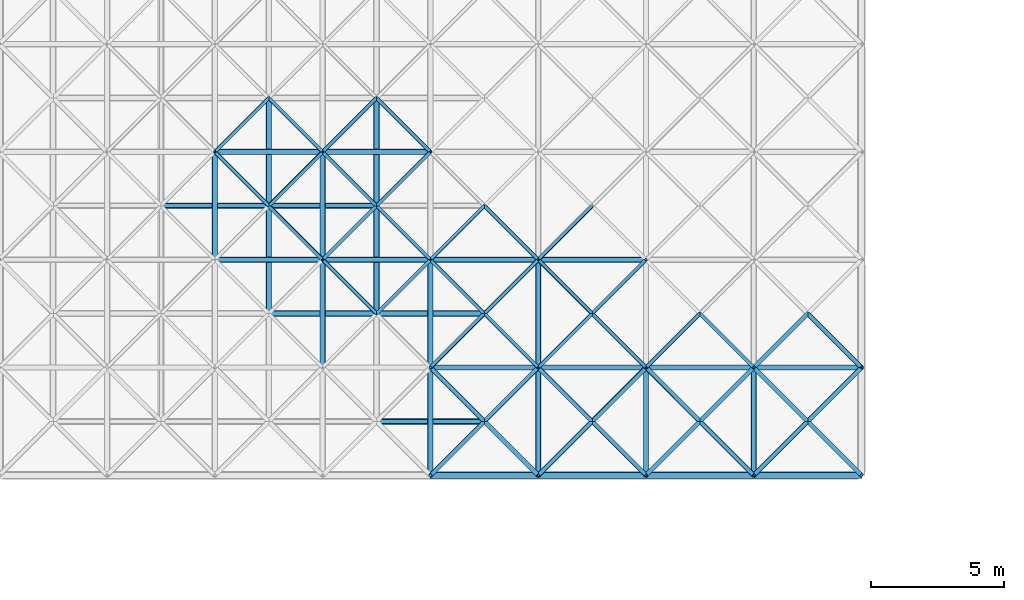
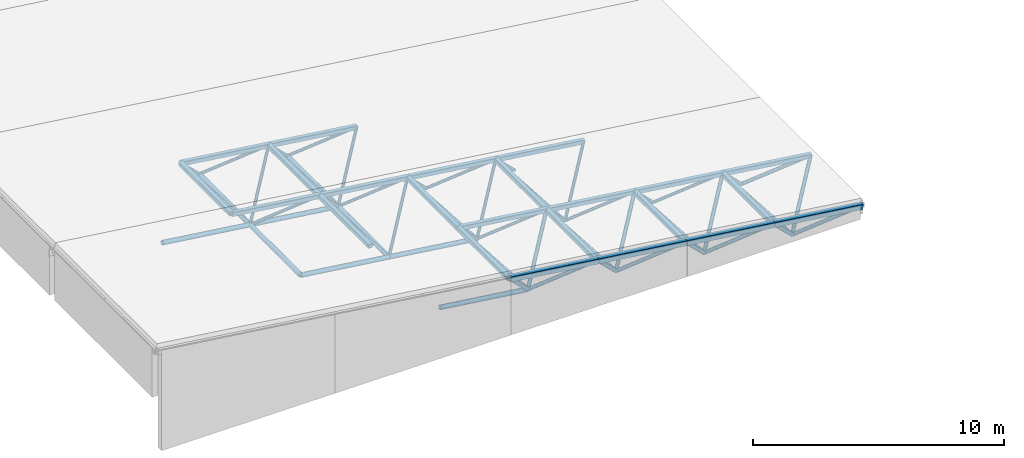
# One storey, part 15 of 70: 76 members.
"""IFC4 building model written with IfcOpenShell, lengths in metres."""

from ifc_helpers import new_model, si_unit, direction, frame, origin, origin_2d, place, context, subcontext, project, spatial, hollow_rectangle, hollow_circle, extrude, material, material_profile, profile_set, type_object, element, save


model = new_model("IFC4")

# Units and contexts
model_context = context("Model", 3, precision=1e-05, world=origin(), true_north=direction((0.0, 1.0)))
body_context = subcontext(model_context, "Body", "Model", "MODEL_VIEW")
ifc_project = project(units=[si_unit("LENGTHUNIT", "METRE"), si_unit("AREAUNIT", "SQUARE_METRE"), si_unit("VOLUMEUNIT", "CUBIC_METRE"), si_unit("PLANEANGLEUNIT", "RADIAN"), si_unit("MASSUNIT", "GRAM", prefix="KILO")], contexts=[model_context])

# Site, building, storey
site_placement = place(None, origin())
site = spatial("IfcSite", under=ifc_project, at=site_placement, CompositionType="ELEMENT")
building_placement = place(site_placement, origin())
building = spatial("IfcBuilding", under=site, at=building_placement, Name="Vaudrelin Polytechnic", CompositionType="ELEMENT")
storey_placement = place(building_placement, frame((0.0, 0.0, 14.110107421875)))
storey = spatial("IfcBuildingStorey", under=building, at=storey_placement, Name="L03", CompositionType="ELEMENT", Elevation=14.110107421875)

# Members
ifc_material = material(Name="Steel CSA G40.21 350WT", Category="steel")
ifc_material_profile_1 = material_profile(ifc_material, hollow_circle(Radius=0.109619140625, WallThickness=0.010986328125, at=origin_2d()), Name="CHS219.1x11.1")
ifc_profile_set_1 = profile_set([ifc_material_profile_1], Name="Steel CSA G40.21 350WT")
member_type_1 = type_object("IfcMemberType", Name="MEM-SF-BC1", PredefinedType="CHORD", material=ifc_profile_set_1)
for number, where, z_axis, x_axis, name in (
    (1, (14.175048828125, 42.52490234375, 0.439208984375), (0.991444732077, 0.0, -0.130527174324), (0.0, 1.0, 0.0), "Space frame bottom chord X 4-1"),
    (2, (10.125, 46.574951171875, 0.972412109375), (0.991444732077, 0.0, -0.130527174324), (0.0, 1.0, 0.0), "Space frame bottom chord X 3-2"),
    (3, (14.175048828125, 46.574951171875, 0.439208984375), (0.991444732077, 0.0, -0.130527174324), (0.0, 1.0, 0.0), "Space frame bottom chord X 4-2"),
    (4, (6.074951171875, 50.625, 1.505615234375), (0.991444732077, 0.0, -0.130527174324), (0.0, 1.0, 0.0), "Space frame bottom chord X 2-3"),
    (5, (10.125, 50.625, 0.972412109375), (0.991444732077, 0.0, -0.130527174324), (0.0, 1.0, 0.0), "Space frame bottom chord X 3-3"),
):
    element("IfcMember", number, at=place(storey_placement, frame(where, z_axis=z_axis, x_axis=x_axis)), inside=storey, type_object=member_type_1, Name=name, PredefinedType="CHORD", context=body_context, shape_type="SweptSolid", body=[
        extrude(hollow_circle(Radius=0.109619140625, WallThickness=0.010986328125, at=origin_2d()), origin(), (0.0, 0.0, 1.0), 4.0849609375),
    ])
for number, where, z_axis, x_axis, name in (
    (6, (10.125, 46.574951171875, 0.972412109375), (0.0, 1.0, 0.0), (-1.0, 0.0, 0.0), "Space frame bottom chord Y 3-2"),
    (7, (10.125, 50.625, 0.972412109375), (0.0, 1.0, 0.0), (-1.0, 0.0, 0.0), "Space frame bottom chord Y 3-3"),
    (8, (14.175048828125, 46.574951171875, 0.439208984375), (0.0, 1.0, 0.0), (-1.0, 0.0, 0.0), "Space frame bottom chord Y 4-2"),
    (9, (14.175048828125, 50.625, 0.439208984375), (0.0, 1.0, 0.0), (-1.0, 0.0, 0.0), "Space frame bottom chord Y 4-3"),
):
    element("IfcMember", number, at=place(storey_placement, frame(where, z_axis=z_axis, x_axis=x_axis)), inside=storey, type_object=member_type_1, Name=name, PredefinedType="CHORD", context=body_context, shape_type="SweptSolid", body=[
        extrude(hollow_circle(Radius=0.109619140625, WallThickness=0.010986328125, at=origin_2d()), origin(), (0.0, 0.0, 1.0), 4.050048828125),
    ])
ifc_material_profile_2 = material_profile(ifc_material, hollow_rectangle(XDim=0.202880859375, YDim=0.202880859375, WallThickness=0.009521484375, InnerFilletRadius=0.009521484375, OuterFilletRadius=0.01904296875, at=origin_2d()), Name="HSS203x203x9.5")
ifc_profile_set_2 = profile_set([ifc_material_profile_2], Name="Steel CSA G40.21 350WT")
member_type_2 = type_object("IfcMemberType", Name="MEM-SF-TC1", PredefinedType="CHORD", material=ifc_profile_set_2)
for number, where, z_axis, x_axis, name in (
    (10, (16.199951171875, 44.550048828125, 2.372802734375), (0.991444732077, 0.0, -0.130527174324), (0.0, 1.0, 0.0), "Space frame top chord X 5-2"),
    (11, (20.25, 44.550048828125, 1.839599609375), (0.991444732077, 0.0, -0.130527174324), (0.0, 1.0, 0.0), "Space frame top chord X 6-2"),
    (12, (24.300048828125, 44.550048828125, 1.306396484375), (0.991444732077, 0.0, -0.130527174324), (0.0, 1.0, 0.0), "Space frame top chord X 7-2"),
):
    element("IfcMember", number, at=place(storey_placement, frame(where, z_axis=z_axis, x_axis=x_axis)), inside=storey, type_object=member_type_2, Name=name, PredefinedType="CHORD", context=body_context, shape_type="SweptSolid", body=[
        extrude(hollow_rectangle(XDim=0.202880859375, YDim=0.202880859375, WallThickness=0.009521484375, InnerFilletRadius=0.009521484375, OuterFilletRadius=0.01904296875, at=origin_2d()), origin(), (0.0, 0.0, 1.0), 4.0849609375),
    ])
for number, where, z_axis, x_axis, name in (
    (13, (28.35009765625, 44.550048828125, 0.773193359375), (0.991443713746, 0.0, -0.13053490902), (0.0, 1.0, 0.0), "Space frame top chord X 8-2"),
    (14, (8.10009765625, 48.60009765625, 3.439208984375), (0.991443713746, 0.0, -0.13053490902), (0.0, 1.0, 0.0), "Space frame top chord X 3-3"),
):
    element("IfcMember", number, at=place(storey_placement, frame(where, z_axis=z_axis, x_axis=x_axis)), inside=storey, type_object=member_type_2, Name=name, PredefinedType="CHORD", context=body_context, shape_type="SweptSolid", body=[
        extrude(hollow_rectangle(XDim=0.202880859375, YDim=0.202880859375, WallThickness=0.009521484375, InnerFilletRadius=0.009521484375, OuterFilletRadius=0.01904296875, at=origin_2d()), origin(), (0.0, 0.0, 1.0), 4.084716796875),
    ])
for number, where, z_axis, x_axis, name in (
    (15, (12.14990234375, 48.60009765625, 2.906005859375), (0.991444732077, 0.0, -0.130527174324), (0.0, 1.0, 0.0), "Space frame top chord X 4-3"),
    (16, (16.199951171875, 48.60009765625, 2.372802734375), (0.991444732077, 0.0, -0.130527174324), (0.0, 1.0, 0.0), "Space frame top chord X 5-3"),
    (17, (20.25, 48.60009765625, 1.839599609375), (0.991444732077, 0.0, -0.130527174324), (0.0, 1.0, 0.0), "Space frame top chord X 6-3"),
):
    element("IfcMember", number, at=place(storey_placement, frame(where, z_axis=z_axis, x_axis=x_axis)), inside=storey, type_object=member_type_2, Name=name, PredefinedType="CHORD", context=body_context, shape_type="SweptSolid", body=[
        extrude(hollow_rectangle(XDim=0.202880859375, YDim=0.202880859375, WallThickness=0.009521484375, InnerFilletRadius=0.009521484375, OuterFilletRadius=0.01904296875, at=origin_2d()), origin(), (0.0, 0.0, 1.0), 4.0849609375),
    ])
member_1_placement = place(storey_placement, frame((8.10009765625, 52.64990234375, 3.439208984375), z_axis=(0.991443713746, 0.0, -0.13053490902), x_axis=(0.0, 1.0, 0.0)))
element("IfcMember", 18, at=member_1_placement, inside=storey, type_object=member_type_2, Name="Space frame top chord X 3-4", PredefinedType="CHORD", context=body_context, shape_type="SweptSolid", body=[
    extrude(hollow_rectangle(XDim=0.202880859375, YDim=0.202880859375, WallThickness=0.009521484375, InnerFilletRadius=0.009521484375, OuterFilletRadius=0.01904296875, at=origin_2d()), origin(), (0.0, 0.0, 1.0), 4.084716796875),
])
member_2_placement = place(storey_placement, frame((12.14990234375, 52.64990234375, 2.906005859375), z_axis=(0.991444732077, 0.0, -0.130527174324), x_axis=(0.0, 1.0, 0.0)))
element("IfcMember", 19, at=member_2_placement, inside=storey, type_object=member_type_2, Name="Space frame top chord X 4-4", PredefinedType="CHORD", context=body_context, shape_type="SweptSolid", body=[
    extrude(hollow_rectangle(XDim=0.202880859375, YDim=0.202880859375, WallThickness=0.009521484375, InnerFilletRadius=0.009521484375, OuterFilletRadius=0.01904296875, at=origin_2d()), origin(), (0.0, 0.0, 1.0), 4.0849609375),
])
member_3_placement = place(storey_placement, frame((8.10009765625, 48.60009765625, 3.439208984375), z_axis=(0.0, 1.0, 0.0), x_axis=(-1.0, 0.0, 0.0)))
element("IfcMember", 20, at=member_3_placement, inside=storey, type_object=member_type_2, Name="Space frame top chord Y 3-3", PredefinedType="CHORD", context=body_context, shape_type="SweptSolid", body=[
    extrude(hollow_rectangle(XDim=0.202880859375, YDim=0.202880859375, WallThickness=0.009521484375, InnerFilletRadius=0.009521484375, OuterFilletRadius=0.01904296875, at=origin_2d()), origin(), (0.0, 0.0, 1.0), 4.0498046875),
])
member_4_placement = place(storey_placement, frame((12.14990234375, 44.550048828125, 2.906005859375), z_axis=(0.0, 1.0, 0.0), x_axis=(-1.0, 0.0, 0.0)))
element("IfcMember", 21, at=member_4_placement, inside=storey, type_object=member_type_2, Name="Space frame top chord Y 4-2", PredefinedType="CHORD", context=body_context, shape_type="SweptSolid", body=[
    extrude(hollow_rectangle(XDim=0.202880859375, YDim=0.202880859375, WallThickness=0.009521484375, InnerFilletRadius=0.009521484375, OuterFilletRadius=0.01904296875, at=origin_2d()), origin(), (0.0, 0.0, 1.0), 4.050048828125),
])
member_5_placement = place(storey_placement, frame((12.14990234375, 48.60009765625, 2.906005859375), z_axis=(0.0, 1.0, 0.0), x_axis=(-1.0, 0.0, 0.0)))
element("IfcMember", 22, at=member_5_placement, inside=storey, type_object=member_type_2, Name="Space frame top chord Y 4-3", PredefinedType="CHORD", context=body_context, shape_type="SweptSolid", body=[
    extrude(hollow_rectangle(XDim=0.202880859375, YDim=0.202880859375, WallThickness=0.009521484375, InnerFilletRadius=0.009521484375, OuterFilletRadius=0.01904296875, at=origin_2d()), origin(), (0.0, 0.0, 1.0), 4.0498046875),
])
for number, where, z_axis, x_axis, name in (
    (23, (16.199951171875, 40.5, 2.372802734375), (0.0, 1.0, 0.0), (-1.0, 0.0, 0.0), "Space frame top chord Y 5-1"),
    (24, (16.199951171875, 44.550048828125, 2.372802734375), (0.0, 1.0, 0.0), (-1.0, 0.0, 0.0), "Space frame top chord Y 5-2"),
    (25, (20.25, 40.5, 1.839599609375), (0.0, 1.0, 0.0), (-1.0, 0.0, 0.0), "Space frame top chord Y 6-1"),
    (26, (20.25, 44.550048828125, 1.839599609375), (0.0, 1.0, 0.0), (-1.0, 0.0, 0.0), "Space frame top chord Y 6-2"),
    (27, (24.300048828125, 40.5, 1.306396484375), (0.0, 1.0, 0.0), (-1.0, 0.0, 0.0), "Space frame top chord Y 7-1"),
    (28, (28.35009765625, 40.5, 0.773193359375), (0.0, 1.0, 0.0), (-1.0, 0.0, 0.0), "Space frame top chord Y 8-1"),
):
    element("IfcMember", number, at=place(storey_placement, frame(where, z_axis=z_axis, x_axis=x_axis)), inside=storey, type_object=member_type_2, Name=name, PredefinedType="CHORD", context=body_context, shape_type="SweptSolid", body=[
        extrude(hollow_rectangle(XDim=0.202880859375, YDim=0.202880859375, WallThickness=0.009521484375, InnerFilletRadius=0.009521484375, OuterFilletRadius=0.01904296875, at=origin_2d()), origin(), (0.0, 0.0, 1.0), 4.050048828125),
    ])
ifc_material_profile_3 = material_profile(ifc_material, hollow_rectangle(XDim=0.25390625, YDim=0.25390625, WallThickness=0.0126953125, InnerFilletRadius=0.0126953125, OuterFilletRadius=0.025390625, at=origin_2d()), Name="HSS254x254x12.7")
ifc_profile_set_3 = profile_set([ifc_material_profile_3], Name="Steel CSA G40.21 350WT")
member_type_3 = type_object("IfcMemberType", Name="MEM-SF-TC2", PredefinedType="CHORD", material=ifc_profile_set_3)
for number, where, z_axis, x_axis, name in (
    (29, (16.199951171875, 40.5, 2.372802734375), (0.991444732077, 0.0, -0.130527174324), (0.0, 1.0, 0.0), "Space frame top chord X 5-1"),
    (30, (20.25, 40.5, 1.839599609375), (0.991444732077, 0.0, -0.130527174324), (0.0, 1.0, 0.0), "Space frame top chord X 6-1"),
    (31, (24.300048828125, 40.5, 1.306396484375), (0.991444732077, 0.0, -0.130527174324), (0.0, 1.0, 0.0), "Space frame top chord X 7-1"),
):
    element("IfcMember", number, at=place(storey_placement, frame(where, z_axis=z_axis, x_axis=x_axis)), inside=storey, type_object=member_type_3, Name=name, PredefinedType="CHORD", context=body_context, shape_type="SweptSolid", body=[
        extrude(hollow_rectangle(XDim=0.25390625, YDim=0.25390625, WallThickness=0.0126953125, InnerFilletRadius=0.0126953125, OuterFilletRadius=0.025390625, at=origin_2d()), origin(), (0.0, 0.0, 1.0), 4.0849609375),
    ])
member_6_placement = place(storey_placement, frame((28.35009765625, 40.5, 0.773193359375), z_axis=(0.991443713746, 0.0, -0.13053490902), x_axis=(0.0, 1.0, 0.0)))
element("IfcMember", 32, at=member_6_placement, inside=storey, type_object=member_type_3, Name="Space frame top chord X 8-1", PredefinedType="CHORD", context=body_context, shape_type="SweptSolid", body=[
    extrude(hollow_rectangle(XDim=0.25390625, YDim=0.25390625, WallThickness=0.0126953125, InnerFilletRadius=0.0126953125, OuterFilletRadius=0.025390625, at=origin_2d()), origin(), (0.0, 0.0, 1.0), 4.084716796875),
])
ifc_material_profile_4 = material_profile(ifc_material, hollow_circle(Radius=0.06982421875, WallThickness=0.008056640625, at=origin_2d()), Name="CHS139.7x8.0")
ifc_profile_set_4 = profile_set([ifc_material_profile_4], Name="Steel CSA G40.21 350WT")
member_type_4 = type_object("IfcMemberType", Name="MEM-SF-WB1", PredefinedType="BRACE", material=ifc_profile_set_4)
for number, where, z_axis, x_axis, name in (
    (33, (10.125, 50.625, 0.972412109375), (0.586024364893, -0.586024364893, 0.559598863028), (0.707106781187, 0.707106781187, 0.0), "Space frame web diagonal 3.3.2"),
    (34, (10.125, 50.625, 0.972412109375), (0.586024364893, 0.586024364893, 0.559598863028), (-0.707106781187, 0.707106781187, 0.0), "Space frame web diagonal 3.3.3"),
):
    element("IfcMember", number, at=place(storey_placement, frame(where, z_axis=z_axis, x_axis=x_axis)), inside=storey, type_object=member_type_4, Name=name, PredefinedType="BRACE", context=body_context, shape_type="SweptSolid", body=[
        extrude(hollow_circle(Radius=0.06982421875, WallThickness=0.008056640625, at=origin_2d()), origin(), (0.0, 0.0, 1.0), 3.455322265625),
    ])
member_7_placement = place(storey_placement, frame((10.125, 50.625, 0.972412109375), z_axis=(-0.535741961868, 0.535741961868, 0.652656954753), x_axis=(-0.707106781187, -0.707106781187, 0.0)))
element("IfcMember", 35, at=member_7_placement, inside=storey, type_object=member_type_4, Name="Space frame web diagonal 3.3.4", PredefinedType="BRACE", context=body_context, shape_type="SweptSolid", body=[
    extrude(hollow_circle(Radius=0.06982421875, WallThickness=0.008056640625, at=origin_2d()), origin(), (0.0, 0.0, 1.0), 3.779541015625),
])
member_8_placement = place(storey_placement, frame((10.125, 54.675048828125, 0.972412109375), z_axis=(-0.535723422002, -0.535788013686, 0.65263436893), x_axis=(0.707149404941, -0.707064154862, 0.0)))
element("IfcMember", 36, at=member_8_placement, inside=storey, type_object=member_type_4, Name="Space frame web diagonal 3.4.1", PredefinedType="BRACE", context=body_context, shape_type="SweptSolid", body=[
    extrude(hollow_circle(Radius=0.06982421875, WallThickness=0.008056640625, at=origin_2d()), origin(), (0.0, 0.0, 1.0), 3.77978515625),
])
for number, where, z_axis, x_axis, name in (
    (37, (10.125, 54.675048828125, 0.972412109375), (0.586000099787, -0.586070753284, 0.559575692105), (0.707149404941, 0.707064154862, 0.0), "Space frame web diagonal 3.4.2"),
    (38, (14.175048828125, 46.574951171875, 0.439208984375), (0.586000099787, 0.586070753284, 0.559575692105), (-0.707149404941, 0.707064154862, 0.0), "Space frame web diagonal 4.2.3"),
):
    element("IfcMember", number, at=place(storey_placement, frame(where, z_axis=z_axis, x_axis=x_axis)), inside=storey, type_object=member_type_4, Name=name, PredefinedType="BRACE", context=body_context, shape_type="SweptSolid", body=[
        extrude(hollow_circle(Radius=0.06982421875, WallThickness=0.008056640625, at=origin_2d()), origin(), (0.0, 0.0, 1.0), 3.45556640625),
    ])
for number, where, z_axis, x_axis, name in (
    (39, (14.175048828125, 46.574951171875, 0.439208984375), (-0.535769473509, 0.535769473509, 0.652611785453), (-0.707106781187, -0.707106781187, 0.0), "Space frame web diagonal 4.2.4"),
    (40, (14.175048828125, 50.625, 0.439208984375), (-0.535788013686, -0.535723422002, 0.65263436893), (0.707064154862, -0.707149404941, 0.0), "Space frame web diagonal 4.3.1"),
):
    element("IfcMember", number, at=place(storey_placement, frame(where, z_axis=z_axis, x_axis=x_axis)), inside=storey, type_object=member_type_4, Name=name, PredefinedType="BRACE", context=body_context, shape_type="SweptSolid", body=[
        extrude(hollow_circle(Radius=0.06982421875, WallThickness=0.008056640625, at=origin_2d()), origin(), (0.0, 0.0, 1.0), 3.77978515625),
    ])
for number, where, z_axis, x_axis, name in (
    (41, (14.175048828125, 50.625, 0.439208984375), (0.586024364893, -0.586024364893, 0.559598863028), (0.707106781187, 0.707106781187, 0.0), "Space frame web diagonal 4.3.2"),
    (42, (14.175048828125, 50.625, 0.439208984375), (0.586024364893, 0.586024364893, 0.559598863028), (-0.707106781187, 0.707106781187, 0.0), "Space frame web diagonal 4.3.3"),
):
    element("IfcMember", number, at=place(storey_placement, frame(where, z_axis=z_axis, x_axis=x_axis)), inside=storey, type_object=member_type_4, Name=name, PredefinedType="BRACE", context=body_context, shape_type="SweptSolid", body=[
        extrude(hollow_circle(Radius=0.06982421875, WallThickness=0.008056640625, at=origin_2d()), origin(), (0.0, 0.0, 1.0), 3.455322265625),
    ])
for number, where, z_axis, x_axis, name in (
    (43, (14.175048828125, 50.625, 0.439208984375), (-0.535788013686, 0.535723422002, 0.65263436893), (-0.707064154862, -0.707149404941, 0.0), "Space frame web diagonal 4.3.4"),
    (44, (14.175048828125, 54.675048828125, 0.439208984375), (-0.535769473509, -0.535769473509, 0.652611785453), (0.707106781187, -0.707106781187, 0.0), "Space frame web diagonal 4.4.1"),
):
    element("IfcMember", number, at=place(storey_placement, frame(where, z_axis=z_axis, x_axis=x_axis)), inside=storey, type_object=member_type_4, Name=name, PredefinedType="BRACE", context=body_context, shape_type="SweptSolid", body=[
        extrude(hollow_circle(Radius=0.06982421875, WallThickness=0.008056640625, at=origin_2d()), origin(), (0.0, 0.0, 1.0), 3.77978515625),
    ])
member_9_placement = place(storey_placement, frame((14.175048828125, 54.675048828125, 0.439208984375), z_axis=(0.586000099787, -0.586070753284, 0.559575692105), x_axis=(0.707149404941, 0.707064154862, 0.0)))
element("IfcMember", 45, at=member_9_placement, inside=storey, type_object=member_type_4, Name="Space frame web diagonal 4.4.2", PredefinedType="BRACE", context=body_context, shape_type="SweptSolid", body=[
    extrude(hollow_circle(Radius=0.06982421875, WallThickness=0.008056640625, at=origin_2d()), origin(), (0.0, 0.0, 1.0), 3.45556640625),
])
member_10_placement = place(storey_placement, frame((18.22509765625, 46.574951171875, -0.093994140625), z_axis=(-0.535788013686, -0.535723422002, 0.65263436893), x_axis=(0.707064154862, -0.707149404941, 0.0)))
element("IfcMember", 46, at=member_10_placement, inside=storey, type_object=member_type_4, Name="Space frame web diagonal 5.2.1", PredefinedType="BRACE", context=body_context, shape_type="SweptSolid", body=[
    extrude(hollow_circle(Radius=0.06982421875, WallThickness=0.008056640625, at=origin_2d()), origin(), (0.0, 0.0, 1.0), 3.77978515625),
])
member_11_placement = place(storey_placement, frame((18.22509765625, 46.574951171875, -0.093994140625), z_axis=(0.586024364893, -0.586024364893, 0.559598863028), x_axis=(0.707106781187, 0.707106781187, 0.0)))
element("IfcMember", 47, at=member_11_placement, inside=storey, type_object=member_type_4, Name="Space frame web diagonal 5.2.2", PredefinedType="BRACE", context=body_context, shape_type="SweptSolid", body=[
    extrude(hollow_circle(Radius=0.06982421875, WallThickness=0.008056640625, at=origin_2d()), origin(), (0.0, 0.0, 1.0), 3.455322265625),
])
member_12_placement = place(storey_placement, frame((18.22509765625, 46.574951171875, -0.093994140625), z_axis=(0.586000099787, 0.586070753284, 0.559575692105), x_axis=(-0.707149404941, 0.707064154862, 0.0)))
element("IfcMember", 48, at=member_12_placement, inside=storey, type_object=member_type_4, Name="Space frame web diagonal 5.2.3", PredefinedType="BRACE", context=body_context, shape_type="SweptSolid", body=[
    extrude(hollow_circle(Radius=0.06982421875, WallThickness=0.008056640625, at=origin_2d()), origin(), (0.0, 0.0, 1.0), 3.45556640625),
])
for number, where, z_axis, x_axis, name in (
    (49, (18.22509765625, 46.574951171875, -0.093994140625), (-0.535769473509, 0.535769473509, 0.652611785453), (-0.707106781187, -0.707106781187, 0.0), "Space frame web diagonal 5.2.4"),
    (50, (18.22509765625, 50.625, -0.093994140625), (-0.535788013686, -0.535723422002, 0.65263436893), (0.707064154862, -0.707149404941, 0.0), "Space frame web diagonal 5.3.1"),
):
    element("IfcMember", number, at=place(storey_placement, frame(where, z_axis=z_axis, x_axis=x_axis)), inside=storey, type_object=member_type_4, Name=name, PredefinedType="BRACE", context=body_context, shape_type="SweptSolid", body=[
        extrude(hollow_circle(Radius=0.06982421875, WallThickness=0.008056640625, at=origin_2d()), origin(), (0.0, 0.0, 1.0), 3.77978515625),
    ])
member_13_placement = place(storey_placement, frame((18.22509765625, 50.625, -0.093994140625), z_axis=(0.586024364893, -0.586024364893, 0.559598863028), x_axis=(0.707106781187, 0.707106781187, 0.0)))
element("IfcMember", 51, at=member_13_placement, inside=storey, type_object=member_type_4, Name="Space frame web diagonal 5.3.2", PredefinedType="BRACE", context=body_context, shape_type="SweptSolid", body=[
    extrude(hollow_circle(Radius=0.06982421875, WallThickness=0.008056640625, at=origin_2d()), origin(), (0.0, 0.0, 1.0), 3.455322265625),
])
member_14_placement = place(storey_placement, frame((22.27490234375, 46.574951171875, -0.627197265625), z_axis=(-0.535741961868, -0.535741961868, 0.652656954753), x_axis=(0.707106781187, -0.707106781187, 0.0)))
element("IfcMember", 52, at=member_14_placement, inside=storey, type_object=member_type_4, Name="Space frame web diagonal 6.2.1", PredefinedType="BRACE", context=body_context, shape_type="SweptSolid", body=[
    extrude(hollow_circle(Radius=0.06982421875, WallThickness=0.008056640625, at=origin_2d()), origin(), (0.0, 0.0, 1.0), 3.779541015625),
])
for number, where, z_axis, x_axis, name in (
    (53, (22.27490234375, 46.574951171875, -0.627197265625), (0.586070753284, -0.586000099787, 0.559575692105), (0.707064154862, 0.707149404941, 0.0), "Space frame web diagonal 6.2.2"),
    (54, (22.27490234375, 46.574951171875, -0.627197265625), (0.586046488267, 0.586046488267, 0.559552524059), (-0.707106781187, 0.707106781187, 0.0), "Space frame web diagonal 6.2.3"),
):
    element("IfcMember", number, at=place(storey_placement, frame(where, z_axis=z_axis, x_axis=x_axis)), inside=storey, type_object=member_type_4, Name=name, PredefinedType="BRACE", context=body_context, shape_type="SweptSolid", body=[
        extrude(hollow_circle(Radius=0.06982421875, WallThickness=0.008056640625, at=origin_2d()), origin(), (0.0, 0.0, 1.0), 3.45556640625),
    ])
member_15_placement = place(storey_placement, frame((22.27490234375, 46.574951171875, -0.627197265625), z_axis=(-0.535723422002, 0.535788013686, 0.65263436893), x_axis=(-0.707149404941, -0.707064154862, 0.0)))
element("IfcMember", 55, at=member_15_placement, inside=storey, type_object=member_type_4, Name="Space frame web diagonal 6.2.4", PredefinedType="BRACE", context=body_context, shape_type="SweptSolid", body=[
    extrude(hollow_circle(Radius=0.06982421875, WallThickness=0.008056640625, at=origin_2d()), origin(), (0.0, 0.0, 1.0), 3.77978515625),
])
for number, where, z_axis, x_axis, name in (
    (56, (22.27490234375, 50.625, -0.627197265625), (-0.535741961868, -0.535741961868, 0.652656954753), (0.707106781187, -0.707106781187, 0.0), "Space frame web diagonal 6.3.1"),
    (57, (26.324951171875, 46.574951171875, -1.160400390625), (-0.535741961868, -0.535741961868, 0.652656954753), (0.707106781187, -0.707106781187, 0.0), "Space frame web diagonal 7.2.1"),
):
    element("IfcMember", number, at=place(storey_placement, frame(where, z_axis=z_axis, x_axis=x_axis)), inside=storey, type_object=member_type_4, Name=name, PredefinedType="BRACE", context=body_context, shape_type="SweptSolid", body=[
        extrude(hollow_circle(Radius=0.06982421875, WallThickness=0.008056640625, at=origin_2d()), origin(), (0.0, 0.0, 1.0), 3.779541015625),
    ])
member_16_placement = place(storey_placement, frame((26.324951171875, 46.574951171875, -1.160400390625), z_axis=(0.586070753284, -0.586000099787, 0.559575692105), x_axis=(0.707064154862, 0.707149404941, 0.0)))
element("IfcMember", 58, at=member_16_placement, inside=storey, type_object=member_type_4, Name="Space frame web diagonal 7.2.2", PredefinedType="BRACE", context=body_context, shape_type="SweptSolid", body=[
    extrude(hollow_circle(Radius=0.06982421875, WallThickness=0.008056640625, at=origin_2d()), origin(), (0.0, 0.0, 1.0), 3.45556640625),
])
ifc_material_profile_5 = material_profile(ifc_material, hollow_circle(Radius=0.084228515625, WallThickness=0.009521484375, at=origin_2d()), Name="CHS168.3x9.5")
ifc_profile_set_5 = profile_set([ifc_material_profile_5], Name="Steel CSA G40.21 350WT")
member_type_5 = type_object("IfcMemberType", Name="MEM-SF-WB2", PredefinedType="BRACE", material=ifc_profile_set_5)
member_17_placement = place(storey_placement, frame((18.22509765625, 42.52490234375, -0.093994140625), z_axis=(-0.535788013686, -0.535723422002, 0.65263436893), x_axis=(0.707064154862, -0.707149404941, 0.0)))
element("IfcMember", 59, at=member_17_placement, inside=storey, type_object=member_type_5, Name="Space frame web diagonal 5.1.1", PredefinedType="BRACE", context=body_context, shape_type="SweptSolid", body=[
    extrude(hollow_circle(Radius=0.084228515625, WallThickness=0.009521484375, at=origin_2d()), origin(), (0.0, 0.0, 1.0), 3.77978515625),
])
member_18_placement = place(storey_placement, frame((18.22509765625, 42.52490234375, -0.093994140625), z_axis=(0.586024364893, -0.586024364893, 0.559598863028), x_axis=(0.707106781187, 0.707106781187, 0.0)))
element("IfcMember", 60, at=member_18_placement, inside=storey, type_object=member_type_5, Name="Space frame web diagonal 5.1.2", PredefinedType="BRACE", context=body_context, shape_type="SweptSolid", body=[
    extrude(hollow_circle(Radius=0.084228515625, WallThickness=0.009521484375, at=origin_2d()), origin(), (0.0, 0.0, 1.0), 3.455322265625),
])
member_19_placement = place(storey_placement, frame((18.22509765625, 42.52490234375, -0.093994140625), z_axis=(0.586000099787, 0.586070753284, 0.559575692105), x_axis=(-0.707149404941, 0.707064154862, 0.0)))
element("IfcMember", 61, at=member_19_placement, inside=storey, type_object=member_type_5, Name="Space frame web diagonal 5.1.3", PredefinedType="BRACE", context=body_context, shape_type="SweptSolid", body=[
    extrude(hollow_circle(Radius=0.084228515625, WallThickness=0.009521484375, at=origin_2d()), origin(), (0.0, 0.0, 1.0), 3.45556640625),
])
member_20_placement = place(storey_placement, frame((18.22509765625, 42.52490234375, -0.093994140625), z_axis=(-0.535769473509, 0.535769473509, 0.652611785453), x_axis=(-0.707106781187, -0.707106781187, 0.0)))
element("IfcMember", 62, at=member_20_placement, inside=storey, type_object=member_type_5, Name="Space frame web diagonal 5.1.4", PredefinedType="BRACE", context=body_context, shape_type="SweptSolid", body=[
    extrude(hollow_circle(Radius=0.084228515625, WallThickness=0.009521484375, at=origin_2d()), origin(), (0.0, 0.0, 1.0), 3.77978515625),
])
member_21_placement = place(storey_placement, frame((22.27490234375, 42.52490234375, -0.627197265625), z_axis=(-0.535741961868, -0.535741961868, 0.652656954753), x_axis=(0.707106781187, -0.707106781187, 0.0)))
element("IfcMember", 63, at=member_21_placement, inside=storey, type_object=member_type_5, Name="Space frame web diagonal 6.1.1", PredefinedType="BRACE", context=body_context, shape_type="SweptSolid", body=[
    extrude(hollow_circle(Radius=0.084228515625, WallThickness=0.009521484375, at=origin_2d()), origin(), (0.0, 0.0, 1.0), 3.779541015625),
])
for number, where, z_axis, x_axis, name in (
    (64, (22.27490234375, 42.52490234375, -0.627197265625), (0.586070753284, -0.586000099787, 0.559575692105), (0.707064154862, 0.707149404941, 0.0), "Space frame web diagonal 6.1.2"),
    (65, (22.27490234375, 42.52490234375, -0.627197265625), (0.586046488267, 0.586046488267, 0.559552524059), (-0.707106781187, 0.707106781187, 0.0), "Space frame web diagonal 6.1.3"),
):
    element("IfcMember", number, at=place(storey_placement, frame(where, z_axis=z_axis, x_axis=x_axis)), inside=storey, type_object=member_type_5, Name=name, PredefinedType="BRACE", context=body_context, shape_type="SweptSolid", body=[
        extrude(hollow_circle(Radius=0.084228515625, WallThickness=0.009521484375, at=origin_2d()), origin(), (0.0, 0.0, 1.0), 3.45556640625),
    ])
member_22_placement = place(storey_placement, frame((22.27490234375, 42.52490234375, -0.627197265625), z_axis=(-0.535723422002, 0.535788013686, 0.65263436893), x_axis=(-0.707149404941, -0.707064154862, 0.0)))
element("IfcMember", 66, at=member_22_placement, inside=storey, type_object=member_type_5, Name="Space frame web diagonal 6.1.4", PredefinedType="BRACE", context=body_context, shape_type="SweptSolid", body=[
    extrude(hollow_circle(Radius=0.084228515625, WallThickness=0.009521484375, at=origin_2d()), origin(), (0.0, 0.0, 1.0), 3.77978515625),
])
member_23_placement = place(storey_placement, frame((26.324951171875, 42.52490234375, -1.160400390625), z_axis=(-0.535741961868, -0.535741961868, 0.652656954753), x_axis=(0.707106781187, -0.707106781187, 0.0)))
element("IfcMember", 67, at=member_23_placement, inside=storey, type_object=member_type_5, Name="Space frame web diagonal 7.1.1", PredefinedType="BRACE", context=body_context, shape_type="SweptSolid", body=[
    extrude(hollow_circle(Radius=0.084228515625, WallThickness=0.009521484375, at=origin_2d()), origin(), (0.0, 0.0, 1.0), 3.779541015625),
])
for number, where, z_axis, x_axis, name in (
    (68, (26.324951171875, 42.52490234375, -1.160400390625), (0.586070753284, -0.586000099787, 0.559575692105), (0.707064154862, 0.707149404941, 0.0), "Space frame web diagonal 7.1.2"),
    (69, (26.324951171875, 42.52490234375, -1.160400390625), (0.586046488267, 0.586046488267, 0.559552524059), (-0.707106781187, 0.707106781187, 0.0), "Space frame web diagonal 7.1.3"),
):
    element("IfcMember", number, at=place(storey_placement, frame(where, z_axis=z_axis, x_axis=x_axis)), inside=storey, type_object=member_type_5, Name=name, PredefinedType="BRACE", context=body_context, shape_type="SweptSolid", body=[
        extrude(hollow_circle(Radius=0.084228515625, WallThickness=0.009521484375, at=origin_2d()), origin(), (0.0, 0.0, 1.0), 3.45556640625),
    ])
member_24_placement = place(storey_placement, frame((26.324951171875, 42.52490234375, -1.160400390625), z_axis=(-0.535723422002, 0.535788013686, 0.65263436893), x_axis=(-0.707149404941, -0.707064154862, 0.0)))
element("IfcMember", 70, at=member_24_placement, inside=storey, type_object=member_type_5, Name="Space frame web diagonal 7.1.4", PredefinedType="BRACE", context=body_context, shape_type="SweptSolid", body=[
    extrude(hollow_circle(Radius=0.084228515625, WallThickness=0.009521484375, at=origin_2d()), origin(), (0.0, 0.0, 1.0), 3.77978515625),
])
member_25_placement = place(storey_placement, frame((30.375, 42.52490234375, -1.693603515625), z_axis=(-0.535741961868, -0.535741961868, 0.652656954753), x_axis=(0.707106781187, -0.707106781187, 0.0)))
element("IfcMember", 71, at=member_25_placement, inside=storey, type_object=member_type_5, Name="Space frame web diagonal 8.1.1", PredefinedType="BRACE", context=body_context, shape_type="SweptSolid", body=[
    extrude(hollow_circle(Radius=0.084228515625, WallThickness=0.009521484375, at=origin_2d()), origin(), (0.0, 0.0, 1.0), 3.779541015625),
])
member_26_placement = place(storey_placement, frame((30.375, 42.52490234375, -1.693603515625), z_axis=(0.586024364893, -0.586024364893, 0.559598863028), x_axis=(0.707106781187, 0.707106781187, 0.0)))
element("IfcMember", 72, at=member_26_placement, inside=storey, type_object=member_type_5, Name="Space frame web diagonal 8.1.2", PredefinedType="BRACE", context=body_context, shape_type="SweptSolid", body=[
    extrude(hollow_circle(Radius=0.084228515625, WallThickness=0.009521484375, at=origin_2d()), origin(), (0.0, 0.0, 1.0), 3.455322265625),
])
member_27_placement = place(storey_placement, frame((30.375, 42.52490234375, -1.693603515625), z_axis=(0.586000099787, 0.586070753284, 0.559575692105), x_axis=(-0.707149404941, 0.707064154862, 0.0)))
element("IfcMember", 73, at=member_27_placement, inside=storey, type_object=member_type_5, Name="Space frame web diagonal 8.1.3", PredefinedType="BRACE", context=body_context, shape_type="SweptSolid", body=[
    extrude(hollow_circle(Radius=0.084228515625, WallThickness=0.009521484375, at=origin_2d()), origin(), (0.0, 0.0, 1.0), 3.45556640625),
])
member_28_placement = place(storey_placement, frame((30.375, 42.52490234375, -1.693603515625), z_axis=(-0.535723422002, 0.535788013686, 0.65263436893), x_axis=(-0.707149404941, -0.707064154862, 0.0)))
element("IfcMember", 74, at=member_28_placement, inside=storey, type_object=member_type_5, Name="Space frame web diagonal 8.1.4", PredefinedType="BRACE", context=body_context, shape_type="SweptSolid", body=[
    extrude(hollow_circle(Radius=0.084228515625, WallThickness=0.009521484375, at=origin_2d()), origin(), (0.0, 0.0, 1.0), 3.77978515625),
])
member_29_placement = place(storey_placement, frame((30.375, 46.574951171875, -1.693603515625), z_axis=(-0.535741961868, -0.535741961868, 0.652656954753), x_axis=(0.707106781187, -0.707106781187, 0.0)))
element("IfcMember", 75, at=member_29_placement, inside=storey, type_object=member_type_5, Name="Space frame web diagonal 8.2.1", PredefinedType="BRACE", context=body_context, shape_type="SweptSolid", body=[
    extrude(hollow_circle(Radius=0.084228515625, WallThickness=0.009521484375, at=origin_2d()), origin(), (0.0, 0.0, 1.0), 3.779541015625),
])
member_30_placement = place(storey_placement, frame((30.375, 46.574951171875, -1.693603515625), z_axis=(0.586024364893, -0.586024364893, 0.559598863028), x_axis=(0.707106781187, 0.707106781187, 0.0)))
element("IfcMember", 76, at=member_30_placement, inside=storey, type_object=member_type_5, Name="Space frame web diagonal 8.2.2", PredefinedType="BRACE", context=body_context, shape_type="SweptSolid", body=[
    extrude(hollow_circle(Radius=0.084228515625, WallThickness=0.009521484375, at=origin_2d()), origin(), (0.0, 0.0, 1.0), 3.455322265625),
])

save(model, "model.ifc")
